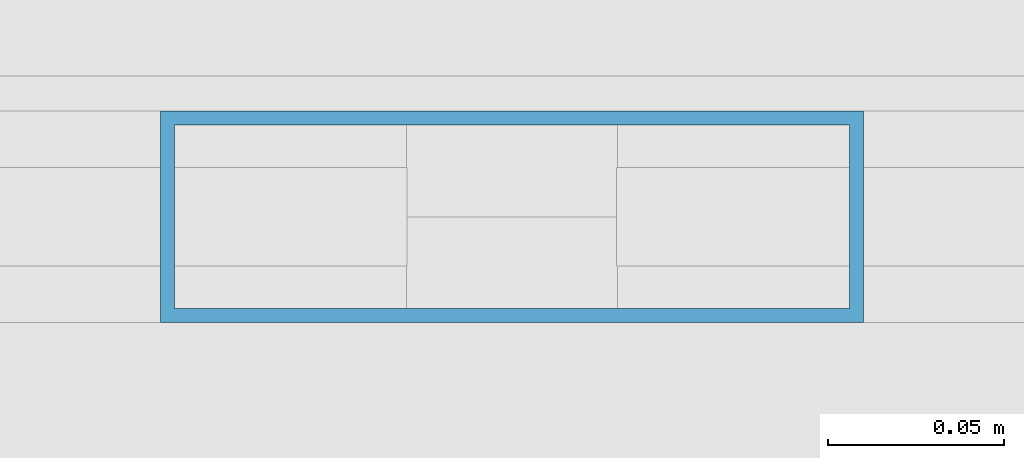
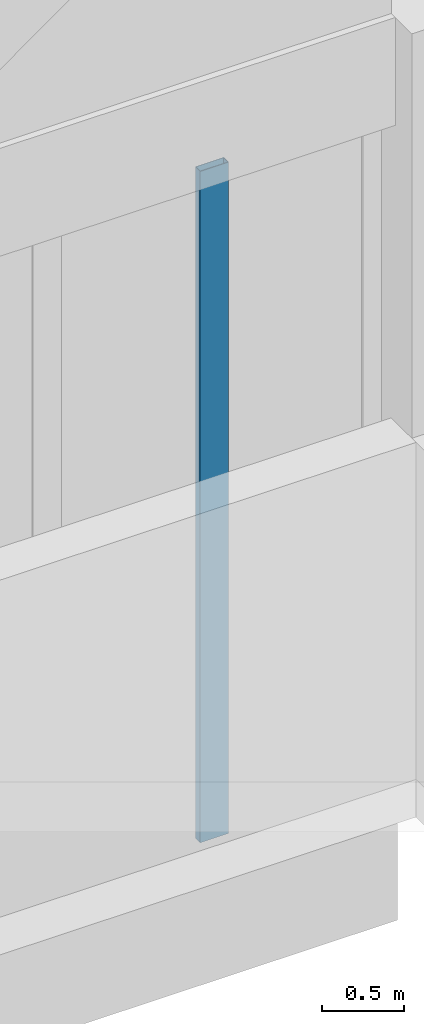
# One storey, part 149 of 437: 1 member, 1 element without a shape of its own.
"""IFC4 building model written with IfcOpenShell, lengths in metres."""

from ifc_helpers import new_model, si_unit, direction, frame, origin, origin_2d, place, context, subcontext, project, spatial, hollow_rectangle, extrude, material, layer, layer_set, material_profile, profile_set, type_object, element, aggregate, save


model = new_model("IFC4")

# Units and contexts
model_context = context("Model", 3, precision=1e-05, world=origin(), true_north=direction((0.0, 1.0)))
body_context = subcontext(model_context, "Body", "Model", "MODEL_VIEW")
ifc_project = project(units=[si_unit("LENGTHUNIT", "METRE"), si_unit("AREAUNIT", "SQUARE_METRE"), si_unit("VOLUMEUNIT", "CUBIC_METRE"), si_unit("PLANEANGLEUNIT", "RADIAN"), si_unit("MASSUNIT", "GRAM", prefix="KILO")], contexts=[model_context])

# Site, building, storey
site_placement = place(None, origin())
site = spatial("IfcSite", under=ifc_project, at=site_placement, CompositionType="ELEMENT")
building_placement = place(site_placement, origin())
building = spatial("IfcBuilding", under=site, at=building_placement, Name="Opaline Strait Convention Centre", CompositionType="ELEMENT")
storey_placement = place(building_placement, frame((0.0, 0.0, 11.5)))
storey = spatial("IfcBuildingStorey", under=building, at=storey_placement, Name="L02", CompositionType="ELEMENT", Elevation=11.5)

# Curtain wall, member
ifc_material_1 = material(Name="Aluminium framed double glazing", Category="aluminium")
ifc_layer = layer(ifc_material_1, 0.199951171875)
ifc_layer_set = layer_set([ifc_layer], Name="Aluminium framed double glazing")
curtain_wall_type = type_object("IfcCurtainWallType", Name="Curtain wall 1250", PredefinedType="NOTDEFINED", material=ifc_layer_set)
curtain_wall_placement = place(storey_placement, origin())
curtain_wall = element("IfcCurtainWall", 1, at=curtain_wall_placement, inside=storey, type_object=curtain_wall_type, Name="Curtain wall N-63-L02", PredefinedType="NOTDEFINED")
ifc_material_2 = material(Name="Aluminium alloy 6063", Category="aluminium")
ifc_material_profile = material_profile(ifc_material_2, hollow_rectangle(XDim=0.06005859375, YDim=0.199951171875, WallThickness=0.00390625, at=origin_2d()), Name="MULLION 60x200x4")
ifc_profile_set = profile_set([ifc_material_profile], Name="Aluminium alloy 6063")
member_type = type_object("IfcMemberType", Name="Curtain wall mullion 60 x 200", PredefinedType="MULLION", material=ifc_profile_set)
member_placement = place(storey_placement, frame((70.4287109375, 180.0, -0.280029296875), z_axis=(0.0, 0.0, 1.0), x_axis=(0.0, 1.0, 0.0)))
member = element("IfcMember", 2, at=member_placement, type_object=member_type, Name="PCW mullion 7", PredefinedType="MULLION", context=body_context, shape_type="SweptSolid", body=[
    extrude(hollow_rectangle(XDim=0.06005859375, YDim=0.199951171875, WallThickness=0.00390625, at=origin_2d()), origin(), (0.0, 0.0, 1.0), 4.97998046875),
])
aggregate(curtain_wall, [member])

save(model, "model.ifc")
